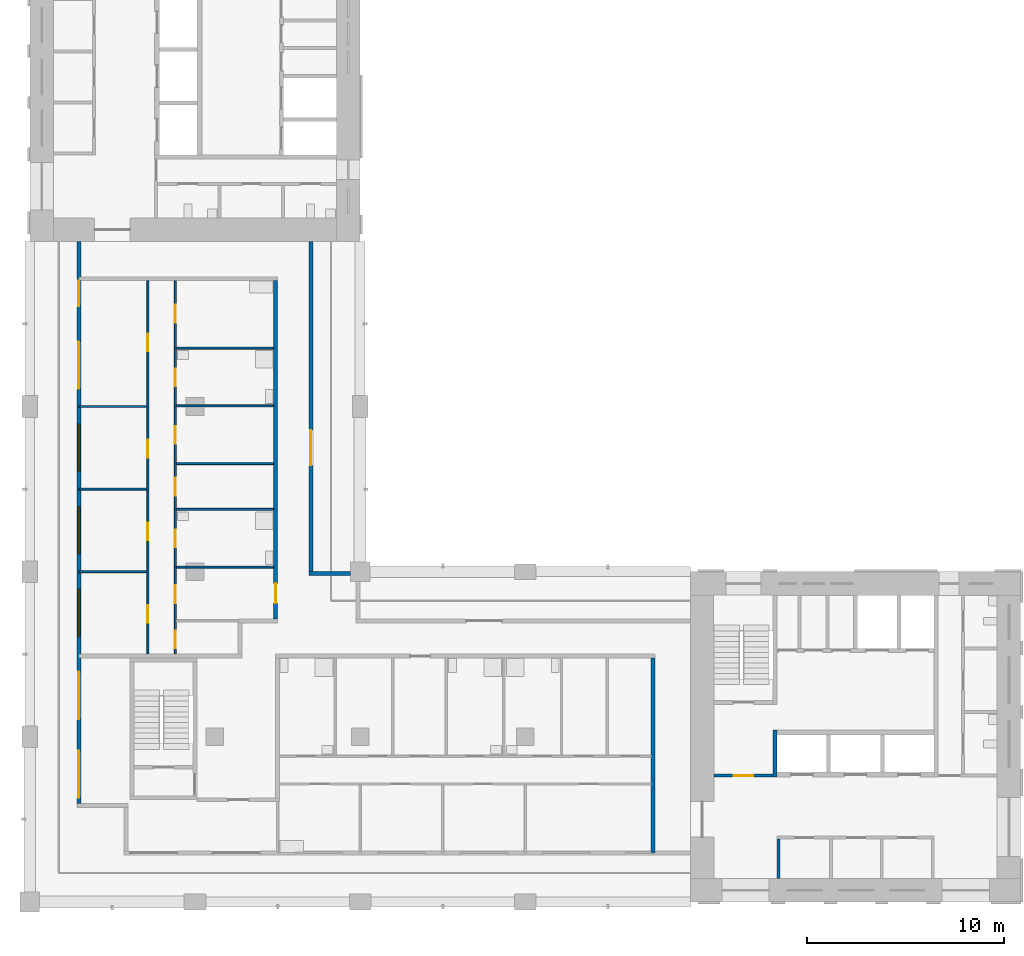
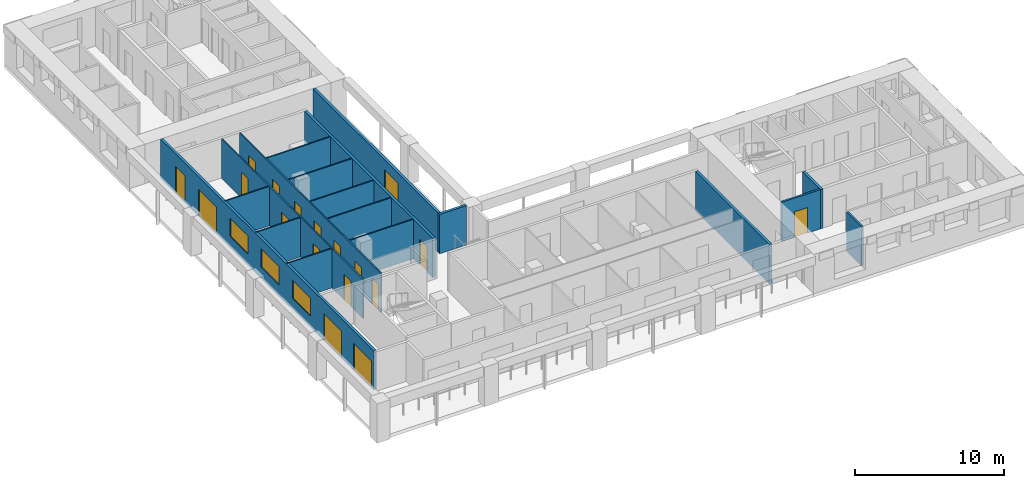
# One storey, part 3 of 10: 18 doors, 18 walls, 3 windows, 21 openings.
"""IFC4 building model written with IfcOpenShell, lengths in metres."""

import ifcopenshell
import ifcopenshell.guid

model = None  # the IFC model being written
_history = None  # IfcOwnerHistory: only IFC2X3 demands one
_inside = {}  # id of a spatial element -> (the spatial element, [elements in it])
_under = {}  # id of a project, library or spatial element -> (it, [spatial elements below it])
_declared = {}  # id of a project -> (the project, [libraries it declares])
_typed = {}  # id of a type object -> (the type object, [elements of that type])
_made_of = {}  # id of a material, layer set ... -> (it, [elements and type objects made of it])


def new_model(schema):
    """Start an empty IFC model of exactly this schema.

    Asked for "IFC4X3", IfcOpenShell would pick the latest addendum, in which some entities
    have other attributes; the version numbers below select the first issue.
    IFC2X3 requires an IfcOwnerHistory on every rooted entity: one is made here for all.
    """
    global model, _history
    if schema == "IFC4X3":
        model = ifcopenshell.file(schema_version=(4, 3, 0, 0))
    else:
        model = ifcopenshell.file(schema=schema)
    _inside.clear()
    _under.clear()
    _declared.clear()
    _typed.clear()
    _made_of.clear()
    _history = None
    if model.schema == "IFC2X3":
        org = make("IfcOrganization", Name="unknown")
        user = make(
            "IfcPersonAndOrganization",
            ThePerson=make("IfcPerson", FamilyName="unknown"),
            TheOrganization=org,
        )
        app = make(
            "IfcApplication",
            ApplicationDeveloper=org,
            Version="unknown",
            ApplicationFullName="unknown",
            ApplicationIdentifier="unknown",
        )
        _history = make(
            "IfcOwnerHistory",
            OwningUser=user,
            OwningApplication=app,
            ChangeAction="ADDED",
            CreationDate=0,
        )
    return model


def make(cls, **values):
    """One entity of the class cls with the attributes given. An attribute that is None is left unset."""
    return model.create_entity(
        cls, **{name: value for name, value in values.items() if value is not None}
    )


def rooted(cls, **values):
    """An entity with a GlobalId (a new one), such as an element, a storey or a relation."""
    return make(cls, GlobalId=ifcopenshell.guid.new(), OwnerHistory=_history, **values)


def si_unit(unit_type, name, prefix=None):
    """IfcSIUnit, for example si_unit("LENGTHUNIT", "METRE", prefix="MILLI")."""
    return make("IfcSIUnit", UnitType=unit_type, Prefix=prefix, Name=name)


def assignment(units):
    """IfcUnitAssignment: the units of a project."""
    return None if units is None else make("IfcUnitAssignment", Units=units)


def point(xyz):
    """IfcCartesianPoint."""
    return None if xyz is None else make("IfcCartesianPoint", Coordinates=xyz)


def direction(xyz):
    """IfcDirection."""
    return None if xyz is None else make("IfcDirection", DirectionRatios=xyz)


def frame(location, z_axis=None, x_axis=None):
    """IfcAxis2Placement3D, a coordinate frame: its origin and axes. An axis left out is left unset."""
    return make(
        "IfcAxis2Placement3D",
        Location=point(location),
        Axis=direction(z_axis),
        RefDirection=direction(x_axis),
    )


def frame_2d(location, x_axis=None):
    """IfcAxis2Placement2D, a coordinate frame in the plane: its origin and x axis."""
    return make(
        "IfcAxis2Placement2D", Location=point(location), RefDirection=direction(x_axis)
    )


def origin():
    """The frame at (0, 0, 0) with its axes left unset."""
    return frame((0.0, 0.0, 0.0))


def place(relative_to, where):
    """IfcLocalPlacement: puts the frame where relative to a parent placement (None: the world)."""
    return make(
        "IfcLocalPlacement", PlacementRelTo=relative_to, RelativePlacement=where
    )


def context(
    kind, dimensions, precision=None, world=None, true_north=None, identifier=None
):
    """IfcGeometricRepresentationContext, for example the 3D "Model" context."""
    return make(
        "IfcGeometricRepresentationContext",
        ContextIdentifier=identifier,
        ContextType=kind,
        CoordinateSpaceDimension=dimensions,
        Precision=precision,
        WorldCoordinateSystem=world,
        TrueNorth=true_north,
    )


def subcontext(parent, identifier, kind, view, scale=None):
    """IfcGeometricRepresentationSubContext, for example "Body" below "Model"."""
    return make(
        "IfcGeometricRepresentationSubContext",
        ContextIdentifier=identifier,
        ContextType=kind,
        ParentContext=parent,
        TargetScale=scale,
        TargetView=view,
    )


def project(units=None, contexts=None):
    """IfcProject with its units and contexts."""
    return rooted(
        "IfcProject",
        Name="project",
        RepresentationContexts=contexts,
        UnitsInContext=assignment(units),
    )


def spatial(cls, under=None, at=None, **own):
    """A site, building, storey or space (cls), placed at a placement, below another one or the project."""
    s = rooted(cls, ObjectPlacement=at, **own)
    if under is not None:
        _under.setdefault(under.id(), (under, []))[1].append(s)
    return s


def profile(cls, at=None, kind="AREA", **sizes):
    """A parametric profile (cls). Its sizes go by their IFC names, for example OverallWidth=200.0."""
    return make(cls, ProfileType=kind, Position=at, **sizes)


def rectangle(**sizes):
    """IfcRectangleProfileDef."""
    return profile("IfcRectangleProfileDef", **sizes)


def extrude(swept, where, along, depth):
    """IfcExtrudedAreaSolid: the profile swept, set in the frame where, extruded along a direction by depth."""
    return make(
        "IfcExtrudedAreaSolid",
        SweptArea=swept,
        Position=where,
        ExtrudedDirection=direction(along),
        Depth=depth,
    )


def shape(context_of_items, identifier, shape_type, items):
    """IfcShapeRepresentation: the items that make up one representation, for example the "Body"."""
    return make(
        "IfcShapeRepresentation",
        ContextOfItems=context_of_items,
        RepresentationIdentifier=identifier,
        RepresentationType=shape_type,
        Items=items,
    )


def material(Name=None, Category=None):
    """IfcMaterial."""
    return make("IfcMaterial", Name=Name, Category=Category)


def layer(
    of_material, thickness, ventilated=None, Name=None, Category=None, Priority=None
):
    """IfcMaterialLayer: one layer of a wall or slab, of a material (None: an air gap)."""
    return make(
        "IfcMaterialLayer",
        Material=of_material,
        LayerThickness=thickness,
        IsVentilated=ventilated,
        Name=Name,
        Category=Category,
        Priority=Priority,
    )


def layer_set(layers, Name=None):
    """IfcMaterialLayerSet."""
    return make("IfcMaterialLayerSet", MaterialLayers=layers, LayerSetName=Name)


def made_of(thing, what):
    """Note that an element or type object is made of a material, layer set ...; save() writes the relation."""
    if what is not None:
        _made_of.setdefault(what.id(), (what, []))[1].append(thing)
    return thing


def type_object(cls, material=None, **own):
    """A type object (cls), such as IfcWallType, which elements share."""
    return made_of(rooted(cls, **own), material)


def element(
    cls,
    number,
    at=None,
    inside=None,
    cuts=None,
    type_object=None,
    material=None,
    context=None,
    identifier="Body",
    shape_type=None,
    held_by="IfcProductDefinitionShape",
    body=None,
    shapes=None,
    **own,
):
    """One element of the class cls, such as IfcWall. Its Tag is "e" and its number.

    at: its placement. inside: the storey or other place that contains it. cuts: it is an
    opening in that element (IfcRelVoidsElement). A single representation is given by context,
    identifier, shape_type and body (its items); several are given by shapes. held_by: the class
    of the entity that holds the representations. save() writes the other relations.
    """
    e = rooted(cls, Tag="e%d" % number, ObjectPlacement=at, **own)
    if body is not None:
        shapes = [shape(context, identifier, shape_type, body)]
    if shapes is not None:
        e.Representation = make(held_by, Representations=shapes)
    if inside is not None:
        _inside.setdefault(inside.id(), (inside, []))[1].append(e)
    if cuts is not None:
        rooted(
            "IfcRelVoidsElement", RelatingBuildingElement=cuts, RelatedOpeningElement=e
        )
    if type_object is not None:
        _typed.setdefault(type_object.id(), (type_object, []))[1].append(e)
    return made_of(e, material)


def fill(opening, filler):
    """IfcRelFillsElement: the door or window that sits in an opening."""
    return rooted(
        "IfcRelFillsElement",
        RelatingOpeningElement=opening,
        RelatedBuildingElement=filler,
    )


def aggregate(whole, parts):
    """IfcRelAggregates: a whole, such as a stair, and the parts it consists of."""
    return rooted("IfcRelAggregates", RelatingObject=whole, RelatedObjects=parts)


def save(model, path):
    """Write the relations noted so far, then the file.

    IfcRelAggregates (storeys below a building ...), IfcRelContainedInSpatialStructure (elements
    in a storey), IfcRelDefinesByType, IfcRelAssociatesMaterial and IfcRelDeclares: one each for
    every whole, place, type object, material and project.
    """
    for whole, parts in _under.values():
        aggregate(whole, parts)
    for where, things in _inside.values():
        rooted(
            "IfcRelContainedInSpatialStructure",
            RelatedElements=things,
            RelatingStructure=where,
        )
    for kind, things in _typed.values():
        rooted("IfcRelDefinesByType", RelatedObjects=things, RelatingType=kind)
    for what, things in _made_of.values():
        rooted("IfcRelAssociatesMaterial", RelatedObjects=things, RelatingMaterial=what)
    for by, libraries in _declared.values():
        rooted("IfcRelDeclares", RelatingContext=by, RelatedDefinitions=libraries)
    model.write(path)


model = new_model("IFC4")

# Units and contexts
model_context = context("Model", 3, precision=1e-05, world=origin(), true_north=direction((0.0, 1.0)))
body_context = subcontext(model_context, "Body", "Model", "MODEL_VIEW")
ifc_project = project(units=[si_unit("LENGTHUNIT", "METRE"), si_unit("AREAUNIT", "SQUARE_METRE"), si_unit("VOLUMEUNIT", "CUBIC_METRE"), si_unit("PLANEANGLEUNIT", "RADIAN"), si_unit("MASSUNIT", "GRAM", prefix="KILO")], contexts=[model_context])

# Site, building, storey
site_placement = place(None, origin())
site = spatial("IfcSite", under=ifc_project, at=site_placement, CompositionType="ELEMENT")
building_placement = place(site_placement, origin())
building = spatial("IfcBuilding", under=site, at=building_placement, Name="Vermilion Gate Residences", CompositionType="ELEMENT")
storey_placement = place(building_placement, frame((0.0, 0.0, 270.199951171875)))
storey = spatial("IfcBuildingStorey", under=building, at=storey_placement, Name="L71", CompositionType="ELEMENT", Elevation=270.199951171875)

# Wall
ifc_material_1 = material(Name="Masonry blockwork", Category="masonry")
ifc_layer_1 = layer(ifc_material_1, 0.14990234375)
ifc_layer_set_1 = layer_set([ifc_layer_1], Name="BLOCKWORK PARTITION 150 EI 120")
wall_type_1 = type_object("IfcWallType", Name="BLOCKWORK PARTITION 150 EI 120", PredefinedType="PARTITIONING", material=ifc_layer_set_1)
wall_1_placement = place(storey_placement, frame((46.47509765625, 9.60009765625, 0.0), z_axis=(0.0, 0.0, 1.0), x_axis=(0.0, 1.0, 0.0)))
element("IfcWall", 1, at=wall_1_placement, inside=storey, type_object=wall_type_1, Name="Core room partition A71-RW-W", PredefinedType="PARTITIONING", context=body_context, shape_type="SweptSolid", body=[
    extrude(rectangle(XDim=2.0, YDim=0.14990234375, at=frame_2d((1.0, 0.0))), origin(), (0.0, 0.0, 1.0), 3.219970703125),
])

# Wall, opening, door
wall_2_placement = place(storey_placement, frame((43.199951171875, 14.824951171875, 0.0), z_axis=(0.0, 0.0, 1.0), x_axis=(1.0, 0.0, 0.0)))
wall_2 = element("IfcWall", 2, at=wall_2_placement, inside=storey, type_object=wall_type_1, Name="Core room partition A71-VW-S", PredefinedType="PARTITIONING", context=body_context, shape_type="SweptSolid", body=[
    extrude(rectangle(XDim=3.0, YDim=0.14990234375, at=frame_2d((1.5, 0.0))), origin(), (0.0, 0.0, 1.0), 3.219970703125),
])
opening_1_placement = place(wall_2_placement, frame((1.0, 0.0, 0.0)))
opening_1 = element("IfcOpeningElement", 3, at=opening_1_placement, cuts=wall_2, Name="Opening DK71013", PredefinedType="OPENING", context=body_context, shape_type="SweptSolid", body=[
    extrude(rectangle(XDim=1.0, YDim=2.10009765625, at=frame_2d((0.5, 1.050048828125))), frame((0.0, 0.0849609375, 0.0), z_axis=(0.0, -1.0, 0.0), x_axis=(1.0, 0.0, 0.0)), (0.0, 0.0, 1.0), 0.169921875),
])
ifc_material_2 = material(Name="Steel", Category="steel")
door_type_1 = type_object("IfcDoorType", Name="FIRE DOOR FD60 1000 X 2100", OperationType="SINGLE_SWING_LEFT", PredefinedType="DOOR", material=ifc_material_2)
door_1_placement = place(opening_1_placement, frame((1.0, 0.0, 0.0), z_axis=(0.0, 0.0, 1.0), x_axis=(-1.0, 0.0, 0.0)))
door_1 = element("IfcDoor", 4, at=door_1_placement, inside=storey, type_object=door_type_1, Name="Stair vestibule door A71", OperationType="SINGLE_SWING_RIGHT", OverallHeight=2.10009765625, OverallWidth=1.0, PredefinedType="DOOR", context=body_context, shape_type="SweptSolid", body=[
    extrude(rectangle(XDim=1.0, YDim=2.10009765625, at=frame_2d((0.5, 1.050048828125))), frame((0.0, 0.02490234375, 0.0), z_axis=(0.0, -1.0, 0.0), x_axis=(1.0, 0.0, 0.0)), (0.0, 0.0, 1.0), 0.050048828125),
])
fill(opening_1, door_1)

# Wall, openings, doors, windows
ifc_material_3 = material(Name="Insulated steel stud wall with terracotta rainscreen", Category="masonry")
ifc_layer_2 = layer(ifc_material_3, 0.199951171875)
ifc_layer_set_2 = layer_set([ifc_layer_2], Name="EXTERNAL WALL 200 TERRACOTTA RAINSCREEN")
wall_type_2 = type_object("IfcWallType", Name="EXTERNAL WALL 200 TERRACOTTA RAINSCREEN", PredefinedType="SOLIDWALL", material=ifc_layer_set_2)
wall_3_placement = place(storey_placement, frame((10.89990234375, 42.0, 0.0), z_axis=(0.0, 0.0, 1.0), x_axis=(0.0, -1.0, 0.0)))
wall_3 = element("IfcWall", 5, at=wall_3_placement, inside=storey, type_object=wall_type_2, Name="External wall", PredefinedType="SOLIDWALL", context=body_context, shape_type="SweptSolid", body=[
    extrude(rectangle(XDim=28.60009765625, YDim=0.199951171875, at=frame_2d((14.300048828125, 0.0))), origin(), (0.0, 0.0, 1.0), 3.219970703125),
])
opening_2_placement = place(wall_3_placement, frame((25.89990234375, 0.0, 0.0)))
opening_2 = element("IfcOpeningElement", 6, at=opening_2_placement, cuts=wall_3, Name="Opening DE71001", PredefinedType="OPENING", context=body_context, shape_type="SweptSolid", body=[
    extrude(rectangle(XDim=2.39990234375, YDim=2.199951171875, at=frame_2d((1.199951171875, 1.10009765625))), frame((0.0, 0.10986328125, 0.0), z_axis=(0.0, -1.0, 0.0), x_axis=(1.0, 0.0, 0.0)), (0.0, 0.0, 1.0), 0.219970703125),
])
opening_3_placement = place(wall_3_placement, frame((21.89990234375, 0.0, 0.0)))
opening_3 = element("IfcOpeningElement", 7, at=opening_3_placement, cuts=wall_3, Name="Opening DE71002", PredefinedType="OPENING", context=body_context, shape_type="SweptSolid", body=[
    extrude(rectangle(XDim=2.39990234375, YDim=2.199951171875, at=frame_2d((1.199951171875, 1.10009765625))), frame((0.0, 0.10986328125, 0.0), z_axis=(0.0, -1.0, 0.0), x_axis=(1.0, 0.0, 0.0)), (0.0, 0.0, 1.0), 0.219970703125),
])
opening_4_placement = place(wall_3_placement, frame((17.699951171875, 0.0, 0.89990234375)))
opening_4 = element("IfcOpeningElement", 8, at=opening_4_placement, cuts=wall_3, Name="Opening WE71003", PredefinedType="OPENING", context=body_context, shape_type="SweptSolid", body=[
    extrude(rectangle(XDim=2.39990234375, YDim=1.5, at=frame_2d((1.199951171875, 0.75))), frame((0.0, 0.10986328125, 0.0), z_axis=(0.0, -1.0, 0.0), x_axis=(1.0, 0.0, 0.0)), (0.0, 0.0, 1.0), 0.219970703125),
])
opening_5_placement = place(wall_3_placement, frame((13.5, 0.0, 0.89990234375)))
opening_5 = element("IfcOpeningElement", 9, at=opening_5_placement, cuts=wall_3, Name="Opening WE71004", PredefinedType="OPENING", context=body_context, shape_type="SweptSolid", body=[
    extrude(rectangle(XDim=2.39990234375, YDim=1.5, at=frame_2d((1.199951171875, 0.75))), frame((0.0, 0.10986328125, 0.0), z_axis=(0.0, -1.0, 0.0), x_axis=(1.0, 0.0, 0.0)), (0.0, 0.0, 1.0), 0.219970703125),
])
opening_6_placement = place(wall_3_placement, frame((9.300048828125, 0.0, 0.89990234375)))
opening_6 = element("IfcOpeningElement", 10, at=opening_6_placement, cuts=wall_3, Name="Opening WE71005", PredefinedType="OPENING", context=body_context, shape_type="SweptSolid", body=[
    extrude(rectangle(XDim=2.39990234375, YDim=1.5, at=frame_2d((1.199951171875, 0.75))), frame((0.0, 0.10986328125, 0.0), z_axis=(0.0, -1.0, 0.0), x_axis=(1.0, 0.0, 0.0)), (0.0, 0.0, 1.0), 0.219970703125),
])
opening_7_placement = place(wall_3_placement, frame((5.10009765625, 0.0, 0.0)))
opening_7 = element("IfcOpeningElement", 11, at=opening_7_placement, cuts=wall_3, Name="Opening DE71006", PredefinedType="OPENING", context=body_context, shape_type="SweptSolid", body=[
    extrude(rectangle(XDim=2.39990234375, YDim=2.199951171875, at=frame_2d((1.199951171875, 1.10009765625))), frame((0.0, 0.10986328125, 0.0), z_axis=(0.0, -1.0, 0.0), x_axis=(1.0, 0.0, 0.0)), (0.0, 0.0, 1.0), 0.219970703125),
])
opening_8_placement = place(wall_3_placement, frame((2.0, 0.0, 0.0)))
opening_8 = element("IfcOpeningElement", 12, at=opening_8_placement, cuts=wall_3, Name="Opening DE71007", PredefinedType="OPENING", context=body_context, shape_type="SweptSolid", body=[
    extrude(rectangle(XDim=1.300048828125, YDim=2.199951171875, at=frame_2d((0.64990234375, 1.10009765625))), frame((0.0, 0.10986328125, 0.0), z_axis=(0.0, -1.0, 0.0), x_axis=(1.0, 0.0, 0.0)), (0.0, 0.0, 1.0), 0.219970703125),
])
ifc_material_4 = material(Name="Aluminium and clear glass", Category="aluminium")
door_type_2 = type_object("IfcDoorType", Name="SLIDING GLAZED DOOR 1300 X 2200", OperationType="DOUBLE_DOOR_SLIDING", PredefinedType="DOOR", material=ifc_material_4)
door_2_placement = place(opening_8_placement, origin())
door_2 = element("IfcDoor", 13, at=door_2_placement, inside=storey, type_object=door_type_2, Name="Loggia sliding door", OperationType="DOUBLE_DOOR_SLIDING", OverallHeight=2.199951171875, OverallWidth=1.300048828125, PredefinedType="DOOR", context=body_context, shape_type="SweptSolid", body=[
    extrude(rectangle(XDim=1.300048828125, YDim=2.199951171875, at=frame_2d((0.64990234375, 1.10009765625))), frame((0.0, 0.02490234375, 0.0), z_axis=(0.0, -1.0, 0.0), x_axis=(1.0, 0.0, 0.0)), (0.0, 0.0, 1.0), 0.050048828125),
])
fill(opening_8, door_2)
ifc_material_5 = material(Name="Aluminium and clear glass", Category="aluminium")
door_type_3 = type_object("IfcDoorType", Name="SLIDING GLAZED DOOR 2400 X 2200", OperationType="DOUBLE_DOOR_SLIDING", PredefinedType="DOOR", material=ifc_material_5)
door_3_placement = place(opening_2_placement, origin())
door_3 = element("IfcDoor", 14, at=door_3_placement, inside=storey, type_object=door_type_3, Name="Loggia sliding door", OperationType="DOUBLE_DOOR_SLIDING", OverallHeight=2.199951171875, OverallWidth=2.39990234375, PredefinedType="DOOR", context=body_context, shape_type="SweptSolid", body=[
    extrude(rectangle(XDim=2.39990234375, YDim=2.199951171875, at=frame_2d((1.199951171875, 1.10009765625))), frame((0.0, 0.02490234375, 0.0), z_axis=(0.0, -1.0, 0.0), x_axis=(1.0, 0.0, 0.0)), (0.0, 0.0, 1.0), 0.050048828125),
])
fill(opening_2, door_3)
door_4_placement = place(opening_3_placement, origin())
door_4 = element("IfcDoor", 15, at=door_4_placement, inside=storey, type_object=door_type_3, Name="Loggia sliding door", OperationType="DOUBLE_DOOR_SLIDING", OverallHeight=2.199951171875, OverallWidth=2.39990234375, PredefinedType="DOOR", context=body_context, shape_type="SweptSolid", body=[
    extrude(rectangle(XDim=2.39990234375, YDim=2.199951171875, at=frame_2d((1.199951171875, 1.10009765625))), frame((0.0, 0.02490234375, 0.0), z_axis=(0.0, -1.0, 0.0), x_axis=(1.0, 0.0, 0.0)), (0.0, 0.0, 1.0), 0.050048828125),
])
fill(opening_3, door_4)
door_5_placement = place(opening_7_placement, origin())
door_5 = element("IfcDoor", 16, at=door_5_placement, inside=storey, type_object=door_type_3, Name="Loggia sliding door", OperationType="DOUBLE_DOOR_SLIDING", OverallHeight=2.199951171875, OverallWidth=2.39990234375, PredefinedType="DOOR", context=body_context, shape_type="SweptSolid", body=[
    extrude(rectangle(XDim=2.39990234375, YDim=2.199951171875, at=frame_2d((1.199951171875, 1.10009765625))), frame((0.0, 0.02490234375, 0.0), z_axis=(0.0, -1.0, 0.0), x_axis=(1.0, 0.0, 0.0)), (0.0, 0.0, 1.0), 0.050048828125),
])
fill(opening_7, door_5)
ifc_material_6 = material(Name="Aluminium and clear glass", Category="aluminium")
window_type = type_object("IfcWindowType", Name="WINDOW 2400 X 1500", PartitioningType="SINGLE_PANEL", PredefinedType="WINDOW", material=ifc_material_6)
window_1_placement = place(opening_4_placement, origin())
window_1 = element("IfcWindow", 17, at=window_1_placement, inside=storey, type_object=window_type, Name="Window", OverallHeight=1.5, OverallWidth=2.39990234375, PartitioningType="SINGLE_PANEL", PredefinedType="WINDOW", context=body_context, shape_type="SweptSolid", body=[
    extrude(rectangle(XDim=2.39990234375, YDim=1.5, at=frame_2d((1.199951171875, 0.75))), frame((0.0, 0.030029296875, 0.0), z_axis=(0.0, -1.0, 0.0), x_axis=(1.0, 0.0, 0.0)), (0.0, 0.0, 1.0), 0.06005859375),
])
fill(opening_4, window_1)
window_2_placement = place(opening_5_placement, origin())
window_2 = element("IfcWindow", 18, at=window_2_placement, inside=storey, type_object=window_type, Name="Window", OverallHeight=1.5, OverallWidth=2.39990234375, PartitioningType="SINGLE_PANEL", PredefinedType="WINDOW", context=body_context, shape_type="SweptSolid", body=[
    extrude(rectangle(XDim=2.39990234375, YDim=1.5, at=frame_2d((1.199951171875, 0.75))), frame((0.0, 0.030029296875, 0.0), z_axis=(0.0, -1.0, 0.0), x_axis=(1.0, 0.0, 0.0)), (0.0, 0.0, 1.0), 0.06005859375),
])
fill(opening_5, window_2)
window_3_placement = place(opening_6_placement, origin())
window_3 = element("IfcWindow", 19, at=window_3_placement, inside=storey, type_object=window_type, Name="Window", OverallHeight=1.5, OverallWidth=2.39990234375, PartitioningType="SINGLE_PANEL", PredefinedType="WINDOW", context=body_context, shape_type="SweptSolid", body=[
    extrude(rectangle(XDim=2.39990234375, YDim=1.5, at=frame_2d((1.199951171875, 0.75))), frame((0.0, 0.030029296875, 0.0), z_axis=(0.0, -1.0, 0.0), x_axis=(1.0, 0.0, 0.0)), (0.0, 0.0, 1.0), 0.06005859375),
])
fill(opening_6, window_3)

# Wall
wall_4_placement = place(storey_placement, frame((24.699951171875, 25.10009765625, 0.0), z_axis=(0.0, 0.0, 1.0), x_axis=(-1.0, 0.0, 0.0)))
element("IfcWall", 20, at=wall_4_placement, inside=storey, type_object=wall_type_2, Name="External wall", PredefinedType="SOLIDWALL", context=body_context, shape_type="SweptSolid", body=[
    extrude(rectangle(XDim=2.099853515625, YDim=0.199951171875, at=frame_2d((1.0498046875, 0.0))), origin(), (0.0, 0.0, 1.0), 3.219970703125),
])

# Wall, opening, door
wall_5_placement = place(storey_placement, frame((22.699951171875, 25.199951171875, 0.0), z_axis=(0.0, 0.0, 1.0), x_axis=(0.0, 1.0, 0.0)))
wall_5 = element("IfcWall", 21, at=wall_5_placement, inside=storey, type_object=wall_type_2, Name="External wall", PredefinedType="SOLIDWALL", context=body_context, shape_type="SweptSolid", body=[
    extrude(rectangle(XDim=16.800048828125, YDim=0.199951171875, at=frame_2d((8.39990234375, 0.0))), origin(), (0.0, 0.0, 1.0), 3.219970703125),
])
opening_9_placement = place(wall_5_placement, frame((5.39990234375, 0.0, 0.0)))
opening_9 = element("IfcOpeningElement", 22, at=opening_9_placement, cuts=wall_5, Name="Opening DE71016", PredefinedType="OPENING", context=body_context, shape_type="SweptSolid", body=[
    extrude(rectangle(XDim=1.800048828125, YDim=2.39990234375, at=frame_2d((0.89990234375, 1.199951171875))), frame((0.0, 0.10986328125, 0.0), z_axis=(0.0, -1.0, 0.0), x_axis=(1.0, 0.0, 0.0)), (0.0, 0.0, 1.0), 0.219970703125),
])
ifc_material_7 = material(Name="Aluminium and clear glass", Category="aluminium")
door_type_4 = type_object("IfcDoorType", Name="GLAZED EXTERNAL DOOR 1800 X 2400", OperationType="DOUBLE_DOOR_SINGLE_SWING", PredefinedType="DOOR", material=ifc_material_7)
door_6_placement = place(opening_9_placement, frame((1.800048828125, 0.0, 0.0), z_axis=(0.0, 0.0, 1.0), x_axis=(-1.0, 0.0, 0.0)))
door_6 = element("IfcDoor", 23, at=door_6_placement, inside=storey, type_object=door_type_4, Name="Gallery door", OperationType="DOUBLE_DOOR_SINGLE_SWING", OverallHeight=2.39990234375, OverallWidth=1.800048828125, PredefinedType="DOOR", context=body_context, shape_type="SweptSolid", body=[
    extrude(rectangle(XDim=1.800048828125, YDim=2.39990234375, at=frame_2d((0.89990234375, 1.199951171875))), frame((0.0, 0.02490234375, 0.0), z_axis=(0.0, -1.0, 0.0), x_axis=(1.0, 0.0, 0.0)), (0.0, 0.0, 1.0), 0.050048828125),
])
fill(opening_9, door_6)

# Walls
ifc_material_8 = material(Name="Plasterboard on steel studs", Category="steel")
ifc_layer_3 = layer(ifc_material_8, 0.10009765625)
ifc_layer_set_3 = layer_set([ifc_layer_3], Name="PARTITION 100")
wall_type_3 = type_object("IfcWallType", Name="PARTITION 100", PredefinedType="PARTITIONING", material=ifc_layer_set_3)
wall_6_placement = place(storey_placement, frame((10.89990234375, 25.199951171875, 0.0), z_axis=(0.0, 0.0, 1.0), x_axis=(1.0, 0.0, 0.0)))
element("IfcWall", 24, at=wall_6_placement, inside=storey, type_object=wall_type_3, Name="Partition", PredefinedType="PARTITIONING", context=body_context, shape_type="SweptSolid", body=[
    extrude(rectangle(XDim=3.4501953125, YDim=0.10009765625, at=frame_2d((1.72509765625, 0.0))), origin(), (0.0, 0.0, 1.0), 3.219970703125),
])
for number, where, z_axis, x_axis, name in (
    (25, (15.85009765625, 25.43310546875, 0.0), (0.0, 0.0, 1.0), (1.0, 0.0, 0.0), "Partition"),
    (26, (15.85009765625, 28.366943359375, 0.0), (0.0, 0.0, 1.0), (1.0, 0.0, 0.0), "Partition"),
):
    element("IfcWall", number, at=place(storey_placement, frame(where, z_axis=z_axis, x_axis=x_axis)), inside=storey, type_object=wall_type_3, Name=name, PredefinedType="PARTITIONING", context=body_context, shape_type="SweptSolid", body=[
        extrude(rectangle(XDim=4.949951171875, YDim=0.10009765625, at=frame_2d((2.47509765625, 0.0))), origin(), (0.0, 0.0, 1.0), 3.219970703125),
    ])
wall_7_placement = place(storey_placement, frame((10.89990234375, 29.39990234375, 0.0), z_axis=(0.0, 0.0, 1.0), x_axis=(1.0, 0.0, 0.0)))
element("IfcWall", 27, at=wall_7_placement, inside=storey, type_object=wall_type_3, Name="Partition", PredefinedType="PARTITIONING", context=body_context, shape_type="SweptSolid", body=[
    extrude(rectangle(XDim=3.4501953125, YDim=0.10009765625, at=frame_2d((1.72509765625, 0.0))), origin(), (0.0, 0.0, 1.0), 3.219970703125),
])
wall_8_placement = place(storey_placement, frame((15.85009765625, 30.699951171875, 0.0), z_axis=(0.0, 0.0, 1.0), x_axis=(1.0, 0.0, 0.0)))
element("IfcWall", 28, at=wall_8_placement, inside=storey, type_object=wall_type_3, Name="Partition", PredefinedType="PARTITIONING", context=body_context, shape_type="SweptSolid", body=[
    extrude(rectangle(XDim=4.949951171875, YDim=0.10009765625, at=frame_2d((2.47509765625, 0.0))), origin(), (0.0, 0.0, 1.0), 3.219970703125),
])
wall_9_placement = place(storey_placement, frame((10.89990234375, 33.60009765625, 0.0), z_axis=(0.0, 0.0, 1.0), x_axis=(1.0, 0.0, 0.0)))
element("IfcWall", 29, at=wall_9_placement, inside=storey, type_object=wall_type_3, Name="Partition", PredefinedType="PARTITIONING", context=body_context, shape_type="SweptSolid", body=[
    extrude(rectangle(XDim=3.4501953125, YDim=0.10009765625, at=frame_2d((1.72509765625, 0.0))), origin(), (0.0, 0.0, 1.0), 3.219970703125),
])
for number, where, z_axis, x_axis, name in (
    (30, (15.85009765625, 33.633056640625, 0.0), (0.0, 0.0, 1.0), (1.0, 0.0, 0.0), "Partition"),
    (31, (15.85009765625, 36.56689453125, 0.0), (0.0, 0.0, 1.0), (1.0, 0.0, 0.0), "Partition"),
):
    element("IfcWall", number, at=place(storey_placement, frame(where, z_axis=z_axis, x_axis=x_axis)), inside=storey, type_object=wall_type_3, Name=name, PredefinedType="PARTITIONING", context=body_context, shape_type="SweptSolid", body=[
        extrude(rectangle(XDim=4.949951171875, YDim=0.10009765625, at=frame_2d((2.47509765625, 0.0))), origin(), (0.0, 0.0, 1.0), 3.219970703125),
    ])

# Wall, openings, doors
wall_10_placement = place(storey_placement, frame((14.39990234375, 21.0, 0.0), z_axis=(0.0, 0.0, 1.0), x_axis=(0.0, 1.0, 0.0)))
wall_10 = element("IfcWall", 32, at=wall_10_placement, inside=storey, type_object=wall_type_3, Name="Partition", PredefinedType="PARTITIONING", context=body_context, shape_type="SweptSolid", body=[
    extrude(rectangle(XDim=19.0, YDim=0.10009765625, at=frame_2d((9.5, 0.0))), origin(), (0.0, 0.0, 1.0), 3.219970703125),
])
opening_10_placement = place(wall_10_placement, frame((1.60009765625, 0.0, 0.0)))
opening_10 = element("IfcOpeningElement", 33, at=opening_10_placement, cuts=wall_10, Name="Opening DA70014", PredefinedType="OPENING", context=body_context, shape_type="SweptSolid", body=[
    extrude(rectangle(XDim=0.89990234375, YDim=2.10009765625, at=frame_2d((0.449951171875, 1.050048828125))), frame((0.0, 0.06005859375, 0.0), z_axis=(0.0, -1.0, 0.0), x_axis=(1.0, 0.0, 0.0)), (0.0, 0.0, 1.0), 0.1201171875),
])
opening_11_placement = place(wall_10_placement, frame((5.800048828125, 0.0, 0.0)))
opening_11 = element("IfcOpeningElement", 34, at=opening_11_placement, cuts=wall_10, Name="Opening DA70015", PredefinedType="OPENING", context=body_context, shape_type="SweptSolid", body=[
    extrude(rectangle(XDim=0.89990234375, YDim=2.10009765625, at=frame_2d((0.449951171875, 1.050048828125))), frame((0.0, 0.06005859375, 0.0), z_axis=(0.0, -1.0, 0.0), x_axis=(1.0, 0.0, 0.0)), (0.0, 0.0, 1.0), 0.1201171875),
])
opening_12_placement = place(wall_10_placement, frame((10.0, 0.0, 0.0)))
opening_12 = element("IfcOpeningElement", 35, at=opening_12_placement, cuts=wall_10, Name="Opening DA70016", PredefinedType="OPENING", context=body_context, shape_type="SweptSolid", body=[
    extrude(rectangle(XDim=0.89990234375, YDim=2.10009765625, at=frame_2d((0.449951171875, 1.050048828125))), frame((0.0, 0.06005859375, 0.0), z_axis=(0.0, -1.0, 0.0), x_axis=(1.0, 0.0, 0.0)), (0.0, 0.0, 1.0), 0.1201171875),
])
opening_13_placement = place(wall_10_placement, frame((15.39990234375, 0.0, 0.0)))
opening_13 = element("IfcOpeningElement", 36, at=opening_13_placement, cuts=wall_10, Name="Opening DA70017", PredefinedType="OPENING", context=body_context, shape_type="SweptSolid", body=[
    extrude(rectangle(XDim=0.89990234375, YDim=2.10009765625, at=frame_2d((0.449951171875, 1.050048828125))), frame((0.0, 0.06005859375, 0.0), z_axis=(0.0, -1.0, 0.0), x_axis=(1.0, 0.0, 0.0)), (0.0, 0.0, 1.0), 0.1201171875),
])
ifc_material_9 = material(Name="Timber", Category="wood")
door_type_5 = type_object("IfcDoorType", Name="INTERIOR DOOR 900 X 2100", OperationType="SINGLE_SWING_LEFT", PredefinedType="DOOR", material=ifc_material_9)
door_7_placement = place(opening_10_placement, origin())
door_7 = element("IfcDoor", 37, at=door_7_placement, inside=storey, type_object=door_type_5, Name="Interior door", OperationType="SINGLE_SWING_LEFT", OverallHeight=2.10009765625, OverallWidth=0.89990234375, PredefinedType="DOOR", context=body_context, shape_type="SweptSolid", body=[
    extrude(rectangle(XDim=0.89990234375, YDim=2.10009765625, at=frame_2d((0.449951171875, 1.050048828125))), frame((0.0, 0.02490234375, 0.0), z_axis=(0.0, -1.0, 0.0), x_axis=(1.0, 0.0, 0.0)), (0.0, 0.0, 1.0), 0.050048828125),
])
fill(opening_10, door_7)
door_8_placement = place(opening_11_placement, origin())
door_8 = element("IfcDoor", 38, at=door_8_placement, inside=storey, type_object=door_type_5, Name="Interior door", OperationType="SINGLE_SWING_LEFT", OverallHeight=2.10009765625, OverallWidth=0.89990234375, PredefinedType="DOOR", context=body_context, shape_type="SweptSolid", body=[
    extrude(rectangle(XDim=0.89990234375, YDim=2.10009765625, at=frame_2d((0.449951171875, 1.050048828125))), frame((0.0, 0.02490234375, 0.0), z_axis=(0.0, -1.0, 0.0), x_axis=(1.0, 0.0, 0.0)), (0.0, 0.0, 1.0), 0.050048828125),
])
fill(opening_11, door_8)
door_9_placement = place(opening_12_placement, origin())
door_9 = element("IfcDoor", 39, at=door_9_placement, inside=storey, type_object=door_type_5, Name="Interior door", OperationType="SINGLE_SWING_LEFT", OverallHeight=2.10009765625, OverallWidth=0.89990234375, PredefinedType="DOOR", context=body_context, shape_type="SweptSolid", body=[
    extrude(rectangle(XDim=0.89990234375, YDim=2.10009765625, at=frame_2d((0.449951171875, 1.050048828125))), frame((0.0, 0.02490234375, 0.0), z_axis=(0.0, -1.0, 0.0), x_axis=(1.0, 0.0, 0.0)), (0.0, 0.0, 1.0), 0.050048828125),
])
fill(opening_12, door_9)
door_10_placement = place(opening_13_placement, origin())
door_10 = element("IfcDoor", 40, at=door_10_placement, inside=storey, type_object=door_type_5, Name="Interior door", OperationType="SINGLE_SWING_RIGHT", OverallHeight=2.10009765625, OverallWidth=0.89990234375, PredefinedType="DOOR", context=body_context, shape_type="SweptSolid", body=[
    extrude(rectangle(XDim=0.89990234375, YDim=2.10009765625, at=frame_2d((0.449951171875, 1.050048828125))), frame((0.0, 0.02490234375, 0.0), z_axis=(0.0, -1.0, 0.0), x_axis=(1.0, 0.0, 0.0)), (0.0, 0.0, 1.0), 0.050048828125),
])
fill(opening_13, door_10)

wall_11_placement = place(storey_placement, frame((15.800048828125, 21.0, 0.0), z_axis=(0.0, 0.0, 1.0), x_axis=(0.0, 1.0, 0.0)))
wall_11 = element("IfcWall", 41, at=wall_11_placement, inside=storey, type_object=wall_type_3, Name="Partition", PredefinedType="PARTITIONING", context=body_context, shape_type="SweptSolid", body=[
    extrude(rectangle(XDim=19.0, YDim=0.10009765625, at=frame_2d((9.5, 0.0))), origin(), (0.0, 0.0, 1.0), 3.219970703125),
])
opening_14_placement = place(wall_11_placement, frame((2.60009765625, 0.0, 0.0)))
opening_14 = element("IfcOpeningElement", 42, at=opening_14_placement, cuts=wall_11, Name="Opening DA70018", PredefinedType="OPENING", context=body_context, shape_type="SweptSolid", body=[
    extrude(rectangle(XDim=0.89990234375, YDim=2.10009765625, at=frame_2d((0.449951171875, 1.050048828125))), frame((0.0, 0.06005859375, 0.0), z_axis=(0.0, -1.0, 0.0), x_axis=(1.0, 0.0, 0.0)), (0.0, 0.0, 1.0), 0.1201171875),
])
opening_15_placement = place(wall_11_placement, frame((0.300048828125, 0.0, 0.0)))
opening_15 = element("IfcOpeningElement", 43, at=opening_15_placement, cuts=wall_11, Name="Opening DA70019", PredefinedType="OPENING", context=body_context, shape_type="SweptSolid", body=[
    extrude(rectangle(XDim=0.89990234375, YDim=2.10009765625, at=frame_2d((0.449951171875, 1.050048828125))), frame((0.0, 0.06005859375, 0.0), z_axis=(0.0, -1.0, 0.0), x_axis=(1.0, 0.0, 0.0)), (0.0, 0.0, 1.0), 0.1201171875),
])
opening_16_placement = place(wall_11_placement, frame((5.43310546875, 0.0, 0.0)))
opening_16 = element("IfcOpeningElement", 44, at=opening_16_placement, cuts=wall_11, Name="Opening DA70020", PredefinedType="OPENING", context=body_context, shape_type="SweptSolid", body=[
    extrude(rectangle(XDim=0.89990234375, YDim=2.10009765625, at=frame_2d((0.449951171875, 1.050048828125))), frame((0.0, 0.06005859375, 0.0), z_axis=(0.0, -1.0, 0.0), x_axis=(1.0, 0.0, 0.0)), (0.0, 0.0, 1.0), 0.1201171875),
])
opening_17_placement = place(wall_11_placement, frame((8.06689453125, 0.0, 0.0)))
opening_17 = element("IfcOpeningElement", 45, at=opening_17_placement, cuts=wall_11, Name="Opening DA70021", PredefinedType="OPENING", context=body_context, shape_type="SweptSolid", body=[
    extrude(rectangle(XDim=0.89990234375, YDim=2.10009765625, at=frame_2d((0.449951171875, 1.050048828125))), frame((0.0, 0.06005859375, 0.0), z_axis=(0.0, -1.0, 0.0), x_axis=(1.0, 0.0, 0.0)), (0.0, 0.0, 1.0), 0.1201171875),
])
opening_18_placement = place(wall_11_placement, frame((10.699951171875, 0.0, 0.0)))
opening_18 = element("IfcOpeningElement", 46, at=opening_18_placement, cuts=wall_11, Name="Opening DA70022", PredefinedType="OPENING", context=body_context, shape_type="SweptSolid", body=[
    extrude(rectangle(XDim=0.89990234375, YDim=2.10009765625, at=frame_2d((0.449951171875, 1.050048828125))), frame((0.0, 0.06005859375, 0.0), z_axis=(0.0, -1.0, 0.0), x_axis=(1.0, 0.0, 0.0)), (0.0, 0.0, 1.0), 0.1201171875),
])
opening_19_placement = place(wall_11_placement, frame((13.633056640625, 0.0, 0.0)))
opening_19 = element("IfcOpeningElement", 47, at=opening_19_placement, cuts=wall_11, Name="Opening DA70023", PredefinedType="OPENING", context=body_context, shape_type="SweptSolid", body=[
    extrude(rectangle(XDim=0.89990234375, YDim=2.10009765625, at=frame_2d((0.449951171875, 1.050048828125))), frame((0.0, 0.06005859375, 0.0), z_axis=(0.0, -1.0, 0.0), x_axis=(1.0, 0.0, 0.0)), (0.0, 0.0, 1.0), 0.1201171875),
])
opening_20_placement = place(wall_11_placement, frame((16.866943359375, 0.0, 0.0)))
opening_20 = element("IfcOpeningElement", 48, at=opening_20_placement, cuts=wall_11, Name="Opening DA70024", PredefinedType="OPENING", context=body_context, shape_type="SweptSolid", body=[
    extrude(rectangle(XDim=0.89990234375, YDim=2.10009765625, at=frame_2d((0.449951171875, 1.050048828125))), frame((0.0, 0.06005859375, 0.0), z_axis=(0.0, -1.0, 0.0), x_axis=(1.0, 0.0, 0.0)), (0.0, 0.0, 1.0), 0.1201171875),
])
door_11_placement = place(opening_14_placement, frame((0.89990234375, 0.0, 0.0), z_axis=(0.0, 0.0, 1.0), x_axis=(-1.0, 0.0, 0.0)))
door_11 = element("IfcDoor", 49, at=door_11_placement, inside=storey, type_object=door_type_5, Name="Interior door", OperationType="SINGLE_SWING_RIGHT", OverallHeight=2.10009765625, OverallWidth=0.89990234375, PredefinedType="DOOR", context=body_context, shape_type="SweptSolid", body=[
    extrude(rectangle(XDim=0.89990234375, YDim=2.10009765625, at=frame_2d((0.449951171875, 1.050048828125))), frame((0.0, 0.02490234375, 0.0), z_axis=(0.0, -1.0, 0.0), x_axis=(1.0, 0.0, 0.0)), (0.0, 0.0, 1.0), 0.050048828125),
])
fill(opening_14, door_11)
door_12_placement = place(opening_15_placement, frame((0.89990234375, 0.0, 0.0), z_axis=(0.0, 0.0, 1.0), x_axis=(-1.0, 0.0, 0.0)))
door_12 = element("IfcDoor", 50, at=door_12_placement, inside=storey, type_object=door_type_5, Name="Interior door", OperationType="SINGLE_SWING_RIGHT", OverallHeight=2.10009765625, OverallWidth=0.89990234375, PredefinedType="DOOR", context=body_context, shape_type="SweptSolid", body=[
    extrude(rectangle(XDim=0.89990234375, YDim=2.10009765625, at=frame_2d((0.449951171875, 1.050048828125))), frame((0.0, 0.02490234375, 0.0), z_axis=(0.0, -1.0, 0.0), x_axis=(1.0, 0.0, 0.0)), (0.0, 0.0, 1.0), 0.050048828125),
])
fill(opening_15, door_12)
door_13_placement = place(opening_16_placement, frame((0.89990234375, 0.0, 0.0), z_axis=(0.0, 0.0, 1.0), x_axis=(-1.0, 0.0, 0.0)))
door_13 = element("IfcDoor", 51, at=door_13_placement, inside=storey, type_object=door_type_5, Name="Interior door", OperationType="SINGLE_SWING_LEFT", OverallHeight=2.10009765625, OverallWidth=0.89990234375, PredefinedType="DOOR", context=body_context, shape_type="SweptSolid", body=[
    extrude(rectangle(XDim=0.89990234375, YDim=2.10009765625, at=frame_2d((0.449951171875, 1.050048828125))), frame((0.0, 0.02490234375, 0.0), z_axis=(0.0, -1.0, 0.0), x_axis=(1.0, 0.0, 0.0)), (0.0, 0.0, 1.0), 0.050048828125),
])
fill(opening_16, door_13)
door_14_placement = place(opening_17_placement, frame((0.89990234375, 0.0, 0.0), z_axis=(0.0, 0.0, 1.0), x_axis=(-1.0, 0.0, 0.0)))
door_14 = element("IfcDoor", 52, at=door_14_placement, inside=storey, type_object=door_type_5, Name="Interior door", OperationType="SINGLE_SWING_RIGHT", OverallHeight=2.10009765625, OverallWidth=0.89990234375, PredefinedType="DOOR", context=body_context, shape_type="SweptSolid", body=[
    extrude(rectangle(XDim=0.89990234375, YDim=2.10009765625, at=frame_2d((0.449951171875, 1.050048828125))), frame((0.0, 0.02490234375, 0.0), z_axis=(0.0, -1.0, 0.0), x_axis=(1.0, 0.0, 0.0)), (0.0, 0.0, 1.0), 0.050048828125),
])
fill(opening_17, door_14)
door_15_placement = place(opening_18_placement, frame((0.89990234375, 0.0, 0.0), z_axis=(0.0, 0.0, 1.0), x_axis=(-1.0, 0.0, 0.0)))
door_15 = element("IfcDoor", 53, at=door_15_placement, inside=storey, type_object=door_type_5, Name="Interior door", OperationType="SINGLE_SWING_RIGHT", OverallHeight=2.10009765625, OverallWidth=0.89990234375, PredefinedType="DOOR", context=body_context, shape_type="SweptSolid", body=[
    extrude(rectangle(XDim=0.89990234375, YDim=2.10009765625, at=frame_2d((0.449951171875, 1.050048828125))), frame((0.0, 0.02490234375, 0.0), z_axis=(0.0, -1.0, 0.0), x_axis=(1.0, 0.0, 0.0)), (0.0, 0.0, 1.0), 0.050048828125),
])
fill(opening_18, door_15)
door_16_placement = place(opening_19_placement, frame((0.89990234375, 0.0, 0.0), z_axis=(0.0, 0.0, 1.0), x_axis=(-1.0, 0.0, 0.0)))
door_16 = element("IfcDoor", 54, at=door_16_placement, inside=storey, type_object=door_type_5, Name="Interior door", OperationType="SINGLE_SWING_LEFT", OverallHeight=2.10009765625, OverallWidth=0.89990234375, PredefinedType="DOOR", context=body_context, shape_type="SweptSolid", body=[
    extrude(rectangle(XDim=0.89990234375, YDim=2.10009765625, at=frame_2d((0.449951171875, 1.050048828125))), frame((0.0, 0.02490234375, 0.0), z_axis=(0.0, -1.0, 0.0), x_axis=(1.0, 0.0, 0.0)), (0.0, 0.0, 1.0), 0.050048828125),
])
fill(opening_19, door_16)
door_17_placement = place(opening_20_placement, frame((0.89990234375, 0.0, 0.0), z_axis=(0.0, 0.0, 1.0), x_axis=(-1.0, 0.0, 0.0)))
door_17 = element("IfcDoor", 55, at=door_17_placement, inside=storey, type_object=door_type_5, Name="Interior door", OperationType="SINGLE_SWING_LEFT", OverallHeight=2.10009765625, OverallWidth=0.89990234375, PredefinedType="DOOR", context=body_context, shape_type="SweptSolid", body=[
    extrude(rectangle(XDim=0.89990234375, YDim=2.10009765625, at=frame_2d((0.449951171875, 1.050048828125))), frame((0.0, 0.02490234375, 0.0), z_axis=(0.0, -1.0, 0.0), x_axis=(1.0, 0.0, 0.0)), (0.0, 0.0, 1.0), 0.050048828125),
])
fill(opening_20, door_17)

# Wall, opening, door
ifc_material_10 = material(Name="Fire-rated plasterboard on steel studs", Category="steel")
ifc_layer_4 = layer(ifc_material_10, 0.199951171875)
ifc_layer_set_4 = layer_set([ifc_layer_4], Name="PARTY WALL 200 EI 120")
wall_type_4 = type_object("IfcWallType", Name="PARTY WALL 200 EI 120", PredefinedType="PARTITIONING", material=ifc_layer_set_4)
wall_12_placement = place(storey_placement, frame((20.89990234375, 22.800048828125, 0.0), z_axis=(0.0, 0.0, 1.0), x_axis=(0.0, 1.0, 0.0)))
wall_12 = element("IfcWall", 56, at=wall_12_placement, inside=storey, type_object=wall_type_4, Name="Party and corridor wall", PredefinedType="PARTITIONING", context=body_context, shape_type="SweptSolid", body=[
    extrude(rectangle(XDim=17.199951171875, YDim=0.199951171875, at=frame_2d((8.60009765625, 0.0))), origin(), (0.0, 0.0, 1.0), 3.219970703125),
])
opening_21_placement = place(wall_12_placement, frame((0.800048828125, 0.0, 0.0)))
opening_21 = element("IfcOpeningElement", 57, at=opening_21_placement, cuts=wall_12, Name="Opening DA70025", PredefinedType="OPENING", context=body_context, shape_type="SweptSolid", body=[
    extrude(rectangle(XDim=1.0, YDim=2.10009765625, at=frame_2d((0.5, 1.050048828125))), frame((0.0, 0.10986328125, 0.0), z_axis=(0.0, -1.0, 0.0), x_axis=(1.0, 0.0, 0.0)), (0.0, 0.0, 1.0), 0.219970703125),
])
ifc_material_11 = material(Name="Steel", Category="steel")
door_type_6 = type_object("IfcDoorType", Name="ENTRANCE DOOR 1000 X 2100 FD30", OperationType="SINGLE_SWING_LEFT", PredefinedType="DOOR", material=ifc_material_11)
door_18_placement = place(opening_21_placement, origin())
door_18 = element("IfcDoor", 58, at=door_18_placement, inside=storey, type_object=door_type_6, Name="Entrance door", OperationType="SINGLE_SWING_RIGHT", OverallHeight=2.10009765625, OverallWidth=1.0, PredefinedType="DOOR", context=body_context, shape_type="SweptSolid", body=[
    extrude(rectangle(XDim=1.0, YDim=2.10009765625, at=frame_2d((0.5, 1.050048828125))), frame((0.0, 0.02490234375, 0.0), z_axis=(0.0, -1.0, 0.0), x_axis=(1.0, 0.0, 0.0)), (0.0, 0.0, 1.0), 0.050048828125),
])
fill(opening_21, door_18)

# Walls
wall_13_placement = place(storey_placement, frame((40.10009765625, 10.89990234375, 0.0), z_axis=(0.0, 0.0, 1.0), x_axis=(0.0, 1.0, 0.0)))
element("IfcWall", 59, at=wall_13_placement, inside=storey, type_object=wall_type_4, Name="Party and corridor wall", PredefinedType="PARTITIONING", context=body_context, shape_type="SweptSolid", body=[
    extrude(rectangle(XDim=9.900146484375, YDim=0.199951171875, at=frame_2d((4.9501953125, 0.0))), origin(), (0.0, 0.0, 1.0), 3.219970703125),
])
ifc_material_12 = material(Name="Concrete C60", Category="concrete")
ifc_layer_5 = layer(ifc_material_12, 0.199951171875)
ifc_layer_set_5 = layer_set([ifc_layer_5], Name="RC CORE INTERNAL WALL 200 C60")
wall_type_5 = type_object("IfcWallType", Name="RC CORE INTERNAL WALL 200 C60", PredefinedType="SHEAR", material=ifc_layer_set_5)
wall_14_placement = place(storey_placement, frame((46.300048828125, 14.75, 0.0), z_axis=(0.0, 0.0, 1.0), x_axis=(0.0, 1.0, 0.0)))
element("IfcWall", 60, at=wall_14_placement, inside=storey, type_object=wall_type_5, Name="Core internal wall A71-WDIV1", PredefinedType="SHEAR", context=body_context, shape_type="SweptSolid", body=[
    extrude(rectangle(XDim=2.39990234375, YDim=0.199951171875, at=frame_2d((1.199951171875, 0.0))), origin(), (0.0, 0.0, 1.0), 3.219970703125),
])

save(model, "model.ifc")
